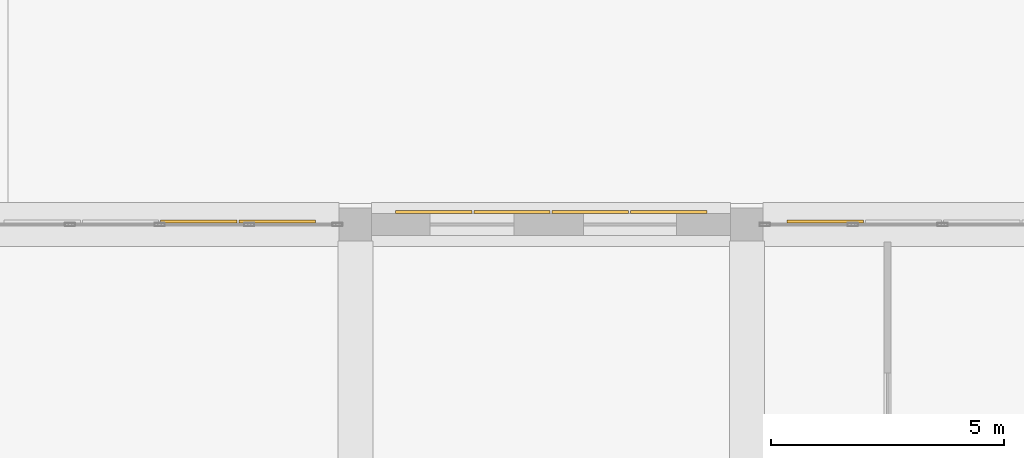
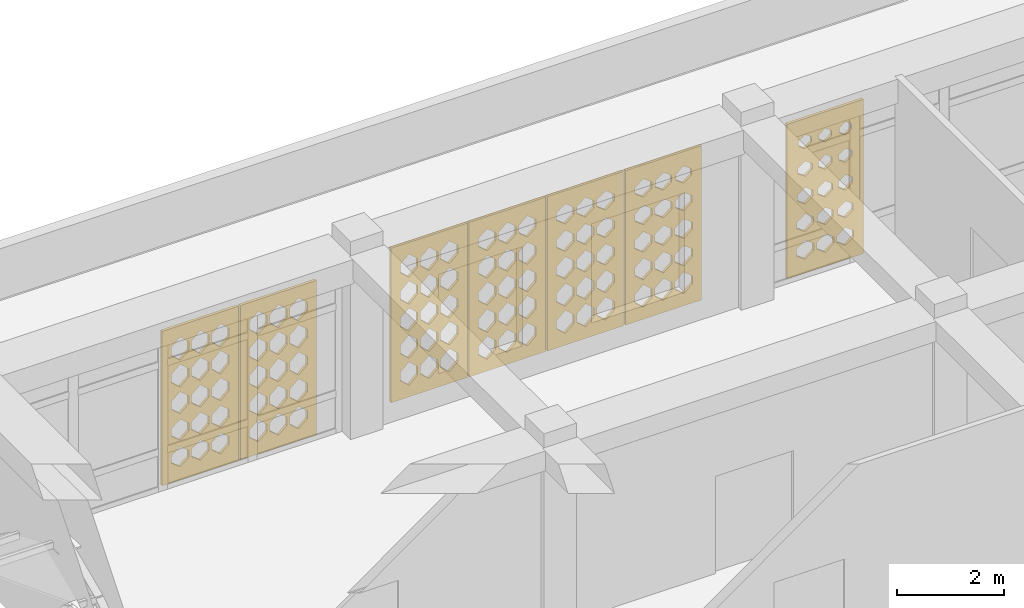
# One storey, part 81 of 100: 7 coverings.
"""IFC4 building model written with IfcOpenShell, lengths in metres."""

from ifc_helpers import new_model, si_unit, derived_unit, direction, frame, origin, place, context, subcontext, project, spatial, polyline, outline, extrude, material, layer, layer_set, type_object, element, save


model = new_model("IFC4")

# Units and contexts
model_context = context("Model", 3, precision=1e-05, world=origin(), true_north=direction((0.0, 1.0)))
body_context = subcontext(model_context, "Body", "Model", "MODEL_VIEW")
ifc_project = project(units=[si_unit("LENGTHUNIT", "METRE"), si_unit("AREAUNIT", "SQUARE_METRE"), si_unit("VOLUMEUNIT", "CUBIC_METRE"), si_unit("PLANEANGLEUNIT", "RADIAN"), si_unit("MASSUNIT", "GRAM", prefix="KILO"), derived_unit("THERMALTRANSMITTANCEUNIT", [(si_unit("POWERUNIT", "WATT"), 1), (si_unit("LENGTHUNIT", "METRE"), -2), (si_unit("THERMODYNAMICTEMPERATUREUNIT", "KELVIN"), -1)])], contexts=[model_context])

# Site, building, storey
site_placement = place(None, origin())
site = spatial("IfcSite", under=ifc_project, at=site_placement, CompositionType="ELEMENT")
building_placement = place(site_placement, origin())
building = spatial("IfcBuilding", under=site, at=building_placement, Name="Veybourne Emporium", CompositionType="ELEMENT")
storey_placement = place(building_placement, frame((0.0, 0.0, 14.39990234375)))
storey = spatial("IfcBuildingStorey", under=building, at=storey_placement, Name="L03", CompositionType="ELEMENT", Elevation=14.39990234375)

# Coverings
ifc_material = material(Name="Warm-White Perforated Aluminium Screen Alloy", Category="aluminium")
ifc_layer_1 = layer(ifc_material, 0.06005859375)
ifc_layer_set_1 = layer_set([ifc_layer_1], Name="Warm-White Perforated Aluminium Screen Alloy")
covering_type_1 = type_object("IfcCoveringType", Name="WaveScreen_SCR-01", PredefinedType="CLADDING", material=ifc_layer_set_1)
covering_1_placement = place(storey_placement, frame((107.52001953125, 21.89794921875, 1.815185546875), z_axis=(0.0, -1.0, 0.0), x_axis=(1.0, 0.0, 0.0)))
element("IfcCovering", 1, at=covering_1_placement, inside=storey, type_object=covering_type_1, Name="L03 wave-perforated aluminium screen SCR-01 (61.4)", PredefinedType="CLADDING", context=body_context, shape_type="SweptSolid", body=[
    extrude(outline(polyline([(-0.81982421875, -1.7548828125), (0.81982421875, -1.7548828125), (0.81982421875, 1.7548828125), (-0.81982421875, 1.7548828125), (-0.81982421875, -1.7548828125)]), holes=[polyline([(-0.433349609375, -0.97265625), (-0.2470703125, -1.135986328125), (-0.2470703125, -1.31982421875), (-0.433349609375, -1.4833984375), (-0.61962890625, -1.31982421875), (-0.61962890625, -1.135986328125), (-0.433349609375, -0.97265625)]), polyline([(-0.433349609375, -0.36865234375), (-0.2470703125, -0.525634765625), (-0.2470703125, -0.702392578125), (-0.433349609375, -0.859375), (-0.61962890625, -0.702392578125), (-0.61962890625, -0.525634765625), (-0.433349609375, -0.36865234375)]), polyline([(-0.433349609375, 0.233642578125), (-0.2470703125, 0.083984375), (-0.2470703125, -0.083984375), (-0.433349609375, -0.233642578125), (-0.61962890625, -0.083984375), (-0.61962890625, 0.083984375), (-0.433349609375, 0.233642578125)]), polyline([(-0.433349609375, 0.834716796875), (-0.2470703125, 0.693603515625), (-0.2470703125, 0.534423828125), (-0.433349609375, 0.393310546875), (-0.61962890625, 0.534423828125), (-0.61962890625, 0.693603515625), (-0.433349609375, 0.834716796875)]), polyline([(-0.433349609375, 1.43505859375), (-0.25390625, 1.302490234375), (-0.25390625, 1.1533203125), (-0.433349609375, 1.02099609375), (-0.61279296875, 1.1533203125), (-0.61279296875, 1.302490234375), (-0.433349609375, 1.43505859375)]), polyline([(0.0, -0.97705078125), (0.186279296875, -1.1376953125), (0.186279296875, -1.318359375), (0.0, -1.47900390625), (-0.186279296875, -1.318359375), (-0.186279296875, -1.1376953125), (0.0, -0.97705078125)]), polyline([(0.0, -0.373779296875), (0.186279296875, -0.527587890625), (0.186279296875, -0.700439453125), (0.0, -0.854248046875), (-0.186279296875, -0.700439453125), (-0.186279296875, -0.527587890625), (0.0, -0.373779296875)]), polyline([(0.0, 0.22802734375), (0.186279296875, 0.08203125), (0.186279296875, -0.08203125), (0.0, -0.22802734375), (-0.186279296875, -0.08203125), (-0.186279296875, 0.08203125), (0.0, 0.22802734375)]), polyline([(0.0, 0.82861328125), (0.185791015625, 0.69140625), (0.185791015625, 0.53662109375), (0.0, 0.3994140625), (-0.185791015625, 0.53662109375), (-0.185791015625, 0.69140625), (0.0, 0.82861328125)]), polyline([(0.0, 1.4287109375), (0.17431640625, 1.30029296875), (0.17431640625, 1.15576171875), (0.0, 1.027099609375), (-0.17431640625, 1.15576171875), (-0.17431640625, 1.30029296875), (0.0, 1.4287109375)]), polyline([(0.433349609375, -0.981689453125), (0.61962890625, -1.139404296875), (0.61962890625, -1.316650390625), (0.433349609375, -1.474365234375), (0.2470703125, -1.316650390625), (0.2470703125, -1.139404296875), (0.433349609375, -0.981689453125)]), polyline([(0.433349609375, -0.379150390625), (0.61962890625, -0.529541015625), (0.61962890625, -0.698486328125), (0.433349609375, -0.848876953125), (0.2470703125, -0.698486328125), (0.2470703125, -0.529541015625), (0.433349609375, -0.379150390625)]), polyline([(0.433349609375, 0.221923828125), (0.61962890625, 0.079833984375), (0.61962890625, -0.079833984375), (0.433349609375, -0.221923828125), (0.2470703125, -0.079833984375), (0.2470703125, 0.079833984375), (0.433349609375, 0.221923828125)]), polyline([(0.433349609375, 0.822509765625), (0.614013671875, 0.68896484375), (0.614013671875, 0.5390625), (0.433349609375, 0.405517578125), (0.252685546875, 0.5390625), (0.252685546875, 0.68896484375), (0.433349609375, 0.822509765625)]), polyline([(0.433349609375, 1.42236328125), (0.602294921875, 1.298095703125), (0.602294921875, 1.157958984375), (0.433349609375, 1.03369140625), (0.264404296875, 1.157958984375), (0.264404296875, 1.298095703125), (0.433349609375, 1.42236328125)])]), origin(), (0.0, 0.0, 1.0), 0.06005859375),
])
ifc_layer_2 = layer(ifc_material, 0.06005859375)
ifc_layer_set_2 = layer_set([ifc_layer_2], Name="Warm-White Perforated Aluminium Screen Alloy")
covering_type_2 = type_object("IfcCoveringType", Name="WaveScreen_SCR-02", PredefinedType="CLADDING", material=ifc_layer_set_2)
covering_2_placement = place(storey_placement, frame((97.43994140625, 21.693115234375, 1.815185546875), z_axis=(0.0, -1.0, 0.0), x_axis=(1.0, 0.0, 0.0)))
element("IfcCovering", 2, at=covering_2_placement, inside=storey, type_object=covering_type_2, Name="L03 wave-perforated aluminium screen SCR-02 (51C.3)", PredefinedType="CLADDING", context=body_context, shape_type="SweptSolid", body=[
    extrude(outline(polyline([(-0.81982421875, -1.7548828125), (0.81982421875, -1.7548828125), (0.81982421875, 1.7548828125), (-0.81982421875, 1.7548828125), (-0.81982421875, -1.7548828125)]), holes=[polyline([(-0.433349609375, -1.00146484375), (-0.2470703125, -1.146484375), (-0.2470703125, -1.3095703125), (-0.433349609375, -1.45458984375), (-0.61962890625, -1.3095703125), (-0.61962890625, -1.146484375), (-0.433349609375, -1.00146484375)]), polyline([(-0.433349609375, -0.375244140625), (-0.2470703125, -0.528076171875), (-0.2470703125, -0.699951171875), (-0.433349609375, -0.852783203125), (-0.61962890625, -0.699951171875), (-0.61962890625, -0.528076171875), (-0.433349609375, -0.375244140625)]), polyline([(-0.433349609375, 0.249755859375), (-0.2470703125, 0.08984375), (-0.2470703125, -0.08984375), (-0.433349609375, -0.249755859375), (-0.61962890625, -0.08984375), (-0.61962890625, 0.08984375), (-0.433349609375, 0.249755859375)]), polyline([(-0.433349609375, 0.873046875), (-0.2470703125, 0.707275390625), (-0.2470703125, 0.520751953125), (-0.433349609375, 0.35498046875), (-0.61962890625, 0.520751953125), (-0.61962890625, 0.707275390625), (-0.433349609375, 0.873046875)]), polyline([(-0.433349609375, 1.491943359375), (-0.2470703125, 1.322998046875), (-0.2470703125, 1.133056640625), (-0.433349609375, 0.964111328125), (-0.61962890625, 1.133056640625), (-0.61962890625, 1.322998046875), (-0.433349609375, 1.491943359375)]), polyline([(0.0, -0.995849609375), (0.186279296875, -1.144287109375), (0.186279296875, -1.3115234375), (0.0, -1.460205078125), (-0.186279296875, -1.3115234375), (-0.186279296875, -1.144287109375), (0.0, -0.995849609375)]), polyline([(0.0, -0.3701171875), (0.186279296875, -0.526123046875), (0.186279296875, -0.701904296875), (0.0, -0.85791015625), (-0.186279296875, -0.701904296875), (-0.186279296875, -0.526123046875), (0.0, -0.3701171875)]), polyline([(0.0, 0.25439453125), (0.186279296875, 0.091552734375), (0.186279296875, -0.091552734375), (0.0, -0.25439453125), (-0.186279296875, -0.091552734375), (-0.186279296875, 0.091552734375), (0.0, 0.25439453125)]), polyline([(0.0, 0.876708984375), (0.186279296875, 0.70849609375), (0.186279296875, 0.519287109375), (0.0, 0.351318359375), (-0.186279296875, 0.519287109375), (-0.186279296875, 0.70849609375), (0.0, 0.876708984375)]), polyline([(0.0, 1.491943359375), (0.186279296875, 1.322998046875), (0.186279296875, 1.133056640625), (0.0, 0.964111328125), (-0.186279296875, 1.133056640625), (-0.186279296875, 1.322998046875), (0.0, 1.491943359375)]), polyline([(0.433349609375, -0.990234375), (0.61962890625, -1.142333984375), (0.61962890625, -1.313720703125), (0.433349609375, -1.4658203125), (0.2470703125, -1.313720703125), (0.2470703125, -1.142333984375), (0.433349609375, -0.990234375)]), polyline([(0.433349609375, -0.364990234375), (0.61962890625, -0.5244140625), (0.61962890625, -0.70361328125), (0.433349609375, -0.86279296875), (0.2470703125, -0.70361328125), (0.2470703125, -0.5244140625), (0.433349609375, -0.364990234375)]), polyline([(0.433349609375, 0.25830078125), (0.61962890625, 0.093017578125), (0.61962890625, -0.093017578125), (0.433349609375, -0.25830078125), (0.2470703125, -0.093017578125), (0.2470703125, 0.093017578125), (0.433349609375, 0.25830078125)]), polyline([(0.433349609375, 0.8779296875), (0.61962890625, 0.708984375), (0.61962890625, 0.51904296875), (0.433349609375, 0.35009765625), (0.2470703125, 0.51904296875), (0.2470703125, 0.708984375), (0.433349609375, 0.8779296875)]), polyline([(0.433349609375, 1.491943359375), (0.61962890625, 1.322998046875), (0.61962890625, 1.133056640625), (0.433349609375, 0.964111328125), (0.2470703125, 1.133056640625), (0.2470703125, 1.322998046875), (0.433349609375, 1.491943359375)])]), origin(), (0.0, 0.0, 1.0), 0.06005859375),
])
covering_3_placement = place(storey_placement, frame((102.47998046875, 21.89794921875, 1.815185546875), z_axis=(0.0, -1.0, 0.0), x_axis=(1.0, 0.0, 0.0)))
element("IfcCovering", 3, at=covering_3_placement, inside=storey, type_object=covering_type_2, Name="L03 wave-perforated aluminium screen SCR-02 (61.1)", PredefinedType="CLADDING", context=body_context, shape_type="SweptSolid", body=[
    extrude(outline(polyline([(-0.81982421875, -1.7548828125), (0.81982421875, -1.7548828125), (0.81982421875, 1.7548828125), (-0.81982421875, 1.7548828125), (-0.81982421875, -1.7548828125)]), holes=[polyline([(-0.433349609375, -0.964111328125), (-0.2470703125, -1.133056640625), (-0.2470703125, -1.322998046875), (-0.433349609375, -1.491943359375), (-0.61962890625, -1.322998046875), (-0.61962890625, -1.133056640625), (-0.433349609375, -0.964111328125)]), polyline([(-0.433349609375, -0.35009765625), (-0.2470703125, -0.51904296875), (-0.2470703125, -0.708984375), (-0.433349609375, -0.8779296875), (-0.61962890625, -0.708984375), (-0.61962890625, -0.51904296875), (-0.433349609375, -0.35009765625)]), polyline([(-0.433349609375, 0.263916015625), (-0.2470703125, 0.094970703125), (-0.2470703125, -0.094970703125), (-0.433349609375, -0.263916015625), (-0.61962890625, -0.094970703125), (-0.61962890625, 0.094970703125), (-0.433349609375, 0.263916015625)]), polyline([(-0.433349609375, 0.8779296875), (-0.2470703125, 0.708984375), (-0.2470703125, 0.51904296875), (-0.433349609375, 0.35009765625), (-0.61962890625, 0.51904296875), (-0.61962890625, 0.708984375), (-0.433349609375, 0.8779296875)]), polyline([(-0.433349609375, 1.491943359375), (-0.2470703125, 1.322998046875), (-0.2470703125, 1.133056640625), (-0.433349609375, 0.964111328125), (-0.61962890625, 1.133056640625), (-0.61962890625, 1.322998046875), (-0.433349609375, 1.491943359375)]), polyline([(0.0, -0.964111328125), (0.186279296875, -1.133056640625), (0.186279296875, -1.322998046875), (0.0, -1.491943359375), (-0.186279296875, -1.322998046875), (-0.186279296875, -1.133056640625), (0.0, -0.964111328125)]), polyline([(0.0, -0.35009765625), (0.186279296875, -0.51904296875), (0.186279296875, -0.708984375), (0.0, -0.8779296875), (-0.186279296875, -0.708984375), (-0.186279296875, -0.51904296875), (0.0, -0.35009765625)]), polyline([(0.0, 0.263916015625), (0.186279296875, 0.094970703125), (0.186279296875, -0.094970703125), (0.0, -0.263916015625), (-0.186279296875, -0.094970703125), (-0.186279296875, 0.094970703125), (0.0, 0.263916015625)]), polyline([(0.0, 0.8779296875), (0.186279296875, 0.708984375), (0.186279296875, 0.51904296875), (0.0, 0.35009765625), (-0.186279296875, 0.51904296875), (-0.186279296875, 0.708984375), (0.0, 0.8779296875)]), polyline([(0.0, 1.490234375), (0.186279296875, 1.322509765625), (0.186279296875, 1.133544921875), (0.0, 0.9658203125), (-0.186279296875, 1.133544921875), (-0.186279296875, 1.322509765625), (0.0, 1.490234375)]), polyline([(0.433349609375, -0.964111328125), (0.61962890625, -1.133056640625), (0.61962890625, -1.322998046875), (0.433349609375, -1.491943359375), (0.2470703125, -1.322998046875), (0.2470703125, -1.133056640625), (0.433349609375, -0.964111328125)]), polyline([(0.433349609375, -0.35009765625), (0.61962890625, -0.51904296875), (0.61962890625, -0.708984375), (0.433349609375, -0.8779296875), (0.2470703125, -0.708984375), (0.2470703125, -0.51904296875), (0.433349609375, -0.35009765625)]), polyline([(0.433349609375, 0.263916015625), (0.61962890625, 0.094970703125), (0.61962890625, -0.094970703125), (0.433349609375, -0.263916015625), (0.2470703125, -0.094970703125), (0.2470703125, 0.094970703125), (0.433349609375, 0.263916015625)]), polyline([(0.433349609375, 0.8779296875), (0.61962890625, 0.708984375), (0.61962890625, 0.51904296875), (0.433349609375, 0.35009765625), (0.2470703125, 0.51904296875), (0.2470703125, 0.708984375), (0.433349609375, 0.8779296875)]), polyline([(0.433349609375, 1.486572265625), (0.61962890625, 1.321044921875), (0.61962890625, 1.135009765625), (0.433349609375, 0.969482421875), (0.2470703125, 1.135009765625), (0.2470703125, 1.321044921875), (0.433349609375, 1.486572265625)])]), origin(), (0.0, 0.0, 1.0), 0.06005859375),
])
ifc_layer_3 = layer(ifc_material, 0.06005859375)
ifc_layer_set_3 = layer_set([ifc_layer_3], Name="Warm-White Perforated Aluminium Screen Alloy")
covering_type_3 = type_object("IfcCoveringType", Name="WaveScreen_SCR-03", PredefinedType="CLADDING", material=ifc_layer_set_3)
covering_4_placement = place(storey_placement, frame((99.1201171875, 21.693115234375, 1.815185546875), z_axis=(0.0, -1.0, 0.0), x_axis=(1.0, 0.0, 0.0)))
element("IfcCovering", 4, at=covering_4_placement, inside=storey, type_object=covering_type_3, Name="L03 wave-perforated aluminium screen SCR-03 (51C.4)", PredefinedType="CLADDING", context=body_context, shape_type="SweptSolid", body=[
    extrude(outline(polyline([(-0.81982421875, -1.7548828125), (0.81982421875, -1.7548828125), (0.81982421875, 1.7548828125), (-0.81982421875, 1.7548828125), (-0.81982421875, -1.7548828125)]), holes=[polyline([(-0.433349609375, -0.980712890625), (-0.2470703125, -1.138916015625), (-0.2470703125, -1.31689453125), (-0.433349609375, -1.475341796875), (-0.61962890625, -1.31689453125), (-0.61962890625, -1.138916015625), (-0.433349609375, -0.980712890625)]), polyline([(-0.433349609375, -0.35693359375), (-0.2470703125, -0.521484375), (-0.2470703125, -0.70654296875), (-0.433349609375, -0.87109375), (-0.61962890625, -0.70654296875), (-0.61962890625, -0.521484375), (-0.433349609375, -0.35693359375)]), polyline([(-0.433349609375, 0.263916015625), (-0.2470703125, 0.094970703125), (-0.2470703125, -0.094970703125), (-0.433349609375, -0.263916015625), (-0.61962890625, -0.094970703125), (-0.61962890625, 0.094970703125), (-0.433349609375, 0.263916015625)]), polyline([(-0.433349609375, 0.8779296875), (-0.2470703125, 0.708984375), (-0.2470703125, 0.51904296875), (-0.433349609375, 0.35009765625), (-0.61962890625, 0.51904296875), (-0.61962890625, 0.708984375), (-0.433349609375, 0.8779296875)]), polyline([(-0.433349609375, 1.491943359375), (-0.2470703125, 1.322998046875), (-0.2470703125, 1.133056640625), (-0.433349609375, 0.964111328125), (-0.61962890625, 1.133056640625), (-0.61962890625, 1.322998046875), (-0.433349609375, 1.491943359375)]), polyline([(0.0, -0.97607421875), (0.186279296875, -1.13720703125), (0.186279296875, -1.318603515625), (0.0, -1.47998046875), (-0.186279296875, -1.318603515625), (-0.186279296875, -1.13720703125), (0.0, -0.97607421875)]), polyline([(0.0, -0.35302734375), (0.186279296875, -0.52001953125), (0.186279296875, -0.7080078125), (0.0, -0.875), (-0.186279296875, -0.7080078125), (-0.186279296875, -0.52001953125), (0.0, -0.35302734375)]), polyline([(0.0, 0.263916015625), (0.186279296875, 0.094970703125), (0.186279296875, -0.094970703125), (0.0, -0.263916015625), (-0.186279296875, -0.094970703125), (-0.186279296875, 0.094970703125), (0.0, 0.263916015625)]), polyline([(0.0, 0.8779296875), (0.186279296875, 0.708984375), (0.186279296875, 0.51904296875), (0.0, 0.35009765625), (-0.186279296875, 0.51904296875), (-0.186279296875, 0.708984375), (0.0, 0.8779296875)]), polyline([(0.0, 1.491943359375), (0.186279296875, 1.322998046875), (0.186279296875, 1.133056640625), (0.0, 0.964111328125), (-0.186279296875, 1.133056640625), (-0.186279296875, 1.322998046875), (0.0, 1.491943359375)]), polyline([(0.433349609375, -0.9716796875), (0.61962890625, -1.1357421875), (0.61962890625, -1.3203125), (0.433349609375, -1.484130859375), (0.2470703125, -1.3203125), (0.2470703125, -1.1357421875), (0.433349609375, -0.9716796875)]), polyline([(0.433349609375, -0.35009765625), (0.61962890625, -0.51904296875), (0.61962890625, -0.708984375), (0.433349609375, -0.8779296875), (0.2470703125, -0.708984375), (0.2470703125, -0.51904296875), (0.433349609375, -0.35009765625)]), polyline([(0.433349609375, 0.263916015625), (0.61962890625, 0.094970703125), (0.61962890625, -0.094970703125), (0.433349609375, -0.263916015625), (0.2470703125, -0.094970703125), (0.2470703125, 0.094970703125), (0.433349609375, 0.263916015625)]), polyline([(0.433349609375, 0.8779296875), (0.61962890625, 0.708984375), (0.61962890625, 0.51904296875), (0.433349609375, 0.35009765625), (0.2470703125, 0.51904296875), (0.2470703125, 0.708984375), (0.433349609375, 0.8779296875)]), polyline([(0.433349609375, 1.491943359375), (0.61962890625, 1.322998046875), (0.61962890625, 1.133056640625), (0.433349609375, 0.964111328125), (0.2470703125, 1.133056640625), (0.2470703125, 1.322998046875), (0.433349609375, 1.491943359375)])]), origin(), (0.0, 0.0, 1.0), 0.06005859375),
])
covering_5_placement = place(storey_placement, frame((104.159912109375, 21.89794921875, 1.815185546875), z_axis=(0.0, -1.0, 0.0), x_axis=(1.0, 0.0, 0.0)))
element("IfcCovering", 5, at=covering_5_placement, inside=storey, type_object=covering_type_3, Name="L03 wave-perforated aluminium screen SCR-03 (61.2)", PredefinedType="CLADDING", context=body_context, shape_type="SweptSolid", body=[
    extrude(outline(polyline([(-0.81982421875, -1.7548828125), (0.81982421875, -1.7548828125), (0.81982421875, 1.7548828125), (-0.81982421875, 1.7548828125), (-0.81982421875, -1.7548828125)]), holes=[polyline([(-0.433349609375, -0.964111328125), (-0.2470703125, -1.133056640625), (-0.2470703125, -1.322998046875), (-0.433349609375, -1.491943359375), (-0.61962890625, -1.322998046875), (-0.61962890625, -1.133056640625), (-0.433349609375, -0.964111328125)]), polyline([(-0.433349609375, -0.35009765625), (-0.2470703125, -0.51904296875), (-0.2470703125, -0.708984375), (-0.433349609375, -0.8779296875), (-0.61962890625, -0.708984375), (-0.61962890625, -0.51904296875), (-0.433349609375, -0.35009765625)]), polyline([(-0.433349609375, 0.263916015625), (-0.2470703125, 0.094970703125), (-0.2470703125, -0.094970703125), (-0.433349609375, -0.263916015625), (-0.61962890625, -0.094970703125), (-0.61962890625, 0.094970703125), (-0.433349609375, 0.263916015625)]), polyline([(-0.433349609375, 0.873779296875), (-0.2470703125, 0.70751953125), (-0.2470703125, 0.5205078125), (-0.433349609375, 0.35400390625), (-0.61962890625, 0.5205078125), (-0.61962890625, 0.70751953125), (-0.433349609375, 0.873779296875)]), polyline([(-0.433349609375, 1.478759765625), (-0.2470703125, 1.318359375), (-0.2470703125, 1.1376953125), (-0.433349609375, 0.977294921875), (-0.61962890625, 1.1376953125), (-0.61962890625, 1.318359375), (-0.433349609375, 1.478759765625)]), polyline([(0.0, -0.964111328125), (0.186279296875, -1.133056640625), (0.186279296875, -1.322998046875), (0.0, -1.491943359375), (-0.186279296875, -1.322998046875), (-0.186279296875, -1.133056640625), (0.0, -0.964111328125)]), polyline([(0.0, -0.35009765625), (0.186279296875, -0.51904296875), (0.186279296875, -0.708984375), (0.0, -0.8779296875), (-0.186279296875, -0.708984375), (-0.186279296875, -0.51904296875), (0.0, -0.35009765625)]), polyline([(0.0, 0.263916015625), (0.186279296875, 0.094970703125), (0.186279296875, -0.094970703125), (0.0, -0.263916015625), (-0.186279296875, -0.094970703125), (-0.186279296875, 0.094970703125), (0.0, 0.263916015625)]), polyline([(0.0, 0.869873046875), (0.186279296875, 0.7060546875), (0.186279296875, 0.52197265625), (0.0, 0.358154296875), (-0.186279296875, 0.52197265625), (-0.186279296875, 0.7060546875), (0.0, 0.869873046875)]), polyline([(0.0, 1.47412109375), (0.186279296875, 1.316650390625), (0.186279296875, 1.139404296875), (0.0, 0.98193359375), (-0.186279296875, 1.139404296875), (-0.186279296875, 1.316650390625), (0.0, 1.47412109375)]), polyline([(0.433349609375, -0.964111328125), (0.61962890625, -1.133056640625), (0.61962890625, -1.322998046875), (0.433349609375, -1.491943359375), (0.2470703125, -1.322998046875), (0.2470703125, -1.133056640625), (0.433349609375, -0.964111328125)]), polyline([(0.433349609375, -0.35009765625), (0.61962890625, -0.51904296875), (0.61962890625, -0.708984375), (0.433349609375, -0.8779296875), (0.2470703125, -0.708984375), (0.2470703125, -0.51904296875), (0.433349609375, -0.35009765625)]), polyline([(0.433349609375, 0.260498046875), (0.61962890625, 0.09375), (0.61962890625, -0.09375), (0.433349609375, -0.260498046875), (0.2470703125, -0.09375), (0.2470703125, 0.09375), (0.433349609375, 0.260498046875)]), polyline([(0.433349609375, 0.865478515625), (0.61962890625, 0.70458984375), (0.61962890625, 0.5234375), (0.433349609375, 0.3623046875), (0.2470703125, 0.5234375), (0.2470703125, 0.70458984375), (0.433349609375, 0.865478515625)]), polyline([(0.433349609375, 1.468994140625), (0.61962890625, 1.314697265625), (0.61962890625, 1.141357421875), (0.433349609375, 0.987060546875), (0.2470703125, 1.141357421875), (0.2470703125, 1.314697265625), (0.433349609375, 1.468994140625)])]), origin(), (0.0, 0.0, 1.0), 0.06005859375),
])
ifc_layer_4 = layer(ifc_material, 0.06005859375)
ifc_layer_set_4 = layer_set([ifc_layer_4], Name="Warm-White Perforated Aluminium Screen Alloy")
covering_type_4 = type_object("IfcCoveringType", Name="WaveScreen_SCR-04", PredefinedType="CLADDING", material=ifc_layer_set_4)
covering_6_placement = place(storey_placement, frame((105.840087890625, 21.89794921875, 1.815185546875), z_axis=(0.0, -1.0, 0.0), x_axis=(1.0, 0.0, 0.0)))
element("IfcCovering", 6, at=covering_6_placement, inside=storey, type_object=covering_type_4, Name="L03 wave-perforated aluminium screen SCR-04 (61.3)", PredefinedType="CLADDING", context=body_context, shape_type="SweptSolid", body=[
    extrude(outline(polyline([(-0.81982421875, -1.7548828125), (0.81982421875, -1.7548828125), (0.81982421875, 1.7548828125), (-0.81982421875, 1.7548828125), (-0.81982421875, -1.7548828125)]), holes=[polyline([(-0.433349609375, -0.964111328125), (-0.2470703125, -1.133056640625), (-0.2470703125, -1.322998046875), (-0.433349609375, -1.491943359375), (-0.61962890625, -1.322998046875), (-0.61962890625, -1.133056640625), (-0.433349609375, -0.964111328125)]), polyline([(-0.433349609375, -0.352294921875), (-0.2470703125, -0.519775390625), (-0.2470703125, -0.708251953125), (-0.433349609375, -0.875732421875), (-0.61962890625, -0.708251953125), (-0.61962890625, -0.519775390625), (-0.433349609375, -0.352294921875)]), polyline([(-0.433349609375, 0.253173828125), (-0.2470703125, 0.091064453125), (-0.2470703125, -0.091064453125), (-0.433349609375, -0.253173828125), (-0.61962890625, -0.091064453125), (-0.61962890625, 0.091064453125), (-0.433349609375, 0.253173828125)]), polyline([(-0.433349609375, 0.856689453125), (-0.2470703125, 0.701416015625), (-0.2470703125, 0.526611328125), (-0.433349609375, 0.371337890625), (-0.61962890625, 0.526611328125), (-0.61962890625, 0.701416015625), (-0.433349609375, 0.856689453125)]), polyline([(-0.433349609375, 1.458740234375), (-0.2470703125, 1.31103515625), (-0.2470703125, 1.14501953125), (-0.433349609375, 0.997314453125), (-0.61962890625, 1.14501953125), (-0.61962890625, 1.31103515625), (-0.433349609375, 1.458740234375)]), polyline([(0.0, -0.964111328125), (0.186279296875, -1.133056640625), (0.186279296875, -1.322998046875), (0.0, -1.491943359375), (-0.186279296875, -1.322998046875), (-0.186279296875, -1.133056640625), (0.0, -0.964111328125)]), polyline([(0.0, -0.35595703125), (0.186279296875, -0.52099609375), (0.186279296875, -0.706787109375), (0.0, -0.8720703125), (-0.186279296875, -0.706787109375), (-0.186279296875, -0.52099609375), (0.0, -0.35595703125)]), polyline([(0.0, 0.24853515625), (0.186279296875, 0.089599609375), (0.186279296875, -0.089599609375), (0.0, -0.24853515625), (-0.186279296875, -0.089599609375), (-0.186279296875, 0.089599609375), (0.0, 0.24853515625)]), polyline([(0.0, 0.851318359375), (0.186279296875, 0.699462890625), (0.186279296875, 0.528564453125), (0.0, 0.376708984375), (-0.186279296875, 0.528564453125), (-0.186279296875, 0.699462890625), (0.0, 0.851318359375)]), polyline([(0.0, 1.452880859375), (0.186279296875, 1.308837890625), (0.186279296875, 1.147216796875), (0.0, 1.003173828125), (-0.186279296875, 1.147216796875), (-0.186279296875, 1.308837890625), (0.0, 1.452880859375)]), polyline([(0.433349609375, -0.965576171875), (0.61962890625, -1.133544921875), (0.61962890625, -1.322509765625), (0.433349609375, -1.490478515625), (0.2470703125, -1.322509765625), (0.2470703125, -1.133544921875), (0.433349609375, -0.965576171875)]), polyline([(0.433349609375, -0.360107421875), (0.61962890625, -0.522705078125), (0.61962890625, -0.705322265625), (0.433349609375, -0.867919921875), (0.2470703125, -0.705322265625), (0.2470703125, -0.522705078125), (0.433349609375, -0.360107421875)]), polyline([(0.433349609375, 0.24365234375), (0.61962890625, 0.087646484375), (0.61962890625, -0.087646484375), (0.433349609375, -0.24365234375), (0.2470703125, -0.087646484375), (0.2470703125, 0.087646484375), (0.433349609375, 0.24365234375)]), polyline([(0.433349609375, 0.845703125), (0.61962890625, 0.697509765625), (0.61962890625, 0.530517578125), (0.433349609375, 0.382080078125), (0.2470703125, 0.530517578125), (0.2470703125, 0.697509765625), (0.433349609375, 0.845703125)]), polyline([(0.433349609375, 1.44677734375), (0.61962890625, 1.306884765625), (0.61962890625, 1.149169921875), (0.433349609375, 1.00927734375), (0.2470703125, 1.149169921875), (0.2470703125, 1.306884765625), (0.433349609375, 1.44677734375)])]), origin(), (0.0, 0.0, 1.0), 0.06005859375),
])
covering_7_placement = place(storey_placement, frame((110.8798828125, 21.694091796875, 1.815185546875), z_axis=(0.0, -1.0, 0.0), x_axis=(1.0, 0.0, 0.0)))
element("IfcCovering", 7, at=covering_7_placement, inside=storey, type_object=covering_type_4, Name="L03 wave-perforated aluminium screen SCR-04 (63C.1)", PredefinedType="CLADDING", context=body_context, shape_type="SweptSolid", body=[
    extrude(outline(polyline([(-0.81982421875, -1.7548828125), (0.81982421875, -1.7548828125), (0.81982421875, 1.7548828125), (-0.81982421875, 1.7548828125), (-0.81982421875, -1.7548828125)]), holes=[polyline([(-0.433349609375, -1.01123046875), (-0.2470703125, -1.14990234375), (-0.2470703125, -1.305908203125), (-0.433349609375, -1.444580078125), (-0.61962890625, -1.305908203125), (-0.61962890625, -1.14990234375), (-0.433349609375, -1.01123046875)]), polyline([(-0.433349609375, -0.4111328125), (-0.25732421875, -0.541015625), (-0.25732421875, -0.68701171875), (-0.433349609375, -0.81689453125), (-0.609375, -0.68701171875), (-0.609375, -0.541015625), (-0.433349609375, -0.4111328125)]), polyline([(-0.433349609375, 0.188720703125), (-0.268798828125, 0.06787109375), (-0.268798828125, -0.06787109375), (-0.433349609375, -0.188720703125), (-0.59765625, -0.06787109375), (-0.59765625, 0.06787109375), (-0.433349609375, 0.188720703125)]), polyline([(-0.433349609375, 0.788818359375), (-0.280517578125, 0.677001953125), (-0.280517578125, 0.551025390625), (-0.433349609375, 0.439208984375), (-0.586181640625, 0.551025390625), (-0.586181640625, 0.677001953125), (-0.433349609375, 0.788818359375)]), polyline([(-0.433349609375, 1.38916015625), (-0.29150390625, 1.285888671875), (-0.29150390625, 1.169921875), (-0.433349609375, 1.06689453125), (-0.5751953125, 1.169921875), (-0.5751953125, 1.285888671875), (-0.433349609375, 1.38916015625)]), polyline([(0.0, -1.017578125), (0.18212890625, -1.152099609375), (0.18212890625, -1.3037109375), (0.0, -1.4384765625), (-0.18212890625, -1.3037109375), (-0.18212890625, -1.152099609375), (0.0, -1.017578125)]), polyline([(0.0, -0.41748046875), (0.170654296875, -0.543212890625), (0.170654296875, -0.684814453125), (0.0, -0.810546875), (-0.170654296875, -0.684814453125), (-0.170654296875, -0.543212890625), (0.0, -0.41748046875)]), polyline([(0.0, 0.182373046875), (0.1591796875, 0.065673828125), (0.1591796875, -0.065673828125), (0.0, -0.182373046875), (-0.1591796875, -0.065673828125), (-0.1591796875, 0.065673828125), (0.0, 0.182373046875)]), polyline([(0.0, 0.782470703125), (0.147705078125, 0.674560546875), (0.147705078125, 0.553466796875), (0.0, 0.445556640625), (-0.147705078125, 0.553466796875), (-0.147705078125, 0.674560546875), (0.0, 0.782470703125)]), polyline([(0.0, 1.38330078125), (0.13720703125, 1.283935546875), (0.13720703125, 1.172119140625), (0.0, 1.07275390625), (-0.13720703125, 1.172119140625), (-0.13720703125, 1.283935546875), (0.0, 1.38330078125)]), polyline([(0.433349609375, -1.023681640625), (0.6103515625, -1.154541015625), (0.6103515625, -1.301513671875), (0.433349609375, -1.43212890625), (0.25634765625, -1.301513671875), (0.25634765625, -1.154541015625), (0.433349609375, -1.023681640625)]), polyline([(0.433349609375, -0.424072265625), (0.598876953125, -0.545654296875), (0.598876953125, -0.682373046875), (0.433349609375, -0.803955078125), (0.267822265625, -0.682373046875), (0.267822265625, -0.545654296875), (0.433349609375, -0.424072265625)]), polyline([(0.433349609375, 0.176025390625), (0.58740234375, 0.063232421875), (0.58740234375, -0.063232421875), (0.433349609375, -0.176025390625), (0.279296875, -0.063232421875), (0.279296875, 0.063232421875), (0.433349609375, 0.176025390625)]), polyline([(0.433349609375, 0.7763671875), (0.576171875, 0.672607421875), (0.576171875, 0.555419921875), (0.433349609375, 0.45166015625), (0.29052734375, 0.555419921875), (0.29052734375, 0.672607421875), (0.433349609375, 0.7763671875)]), polyline([(0.433349609375, 1.377685546875), (0.56591796875, 1.281982421875), (0.56591796875, 1.174072265625), (0.433349609375, 1.078369140625), (0.30078125, 1.174072265625), (0.30078125, 1.281982421875), (0.433349609375, 1.377685546875)])]), origin(), (0.0, 0.0, 1.0), 0.06005859375),
])

save(model, "model.ifc")
